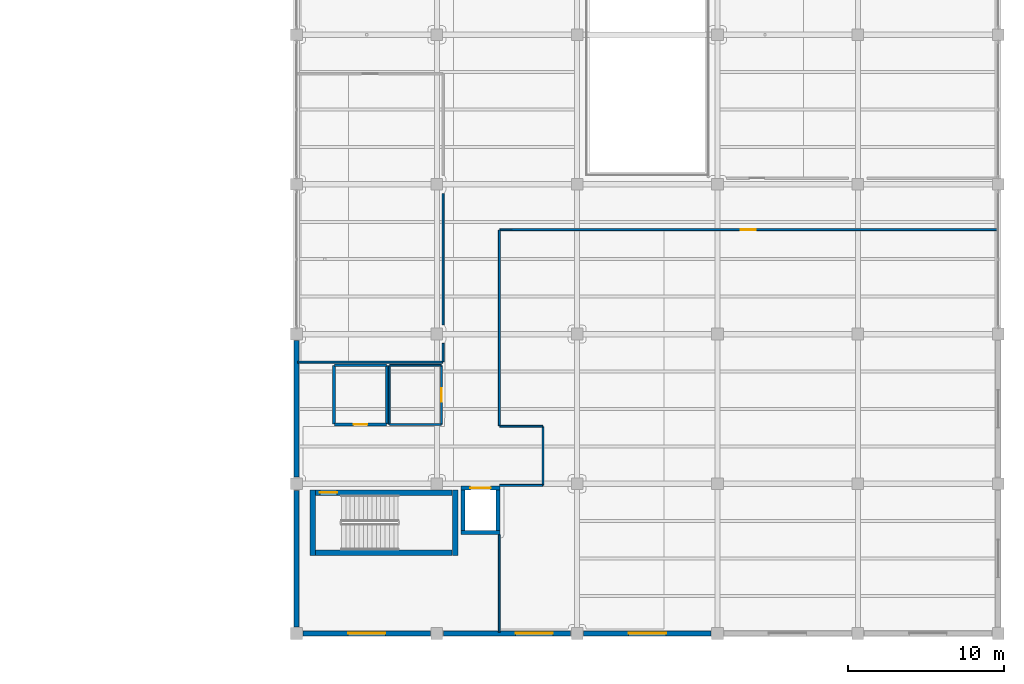
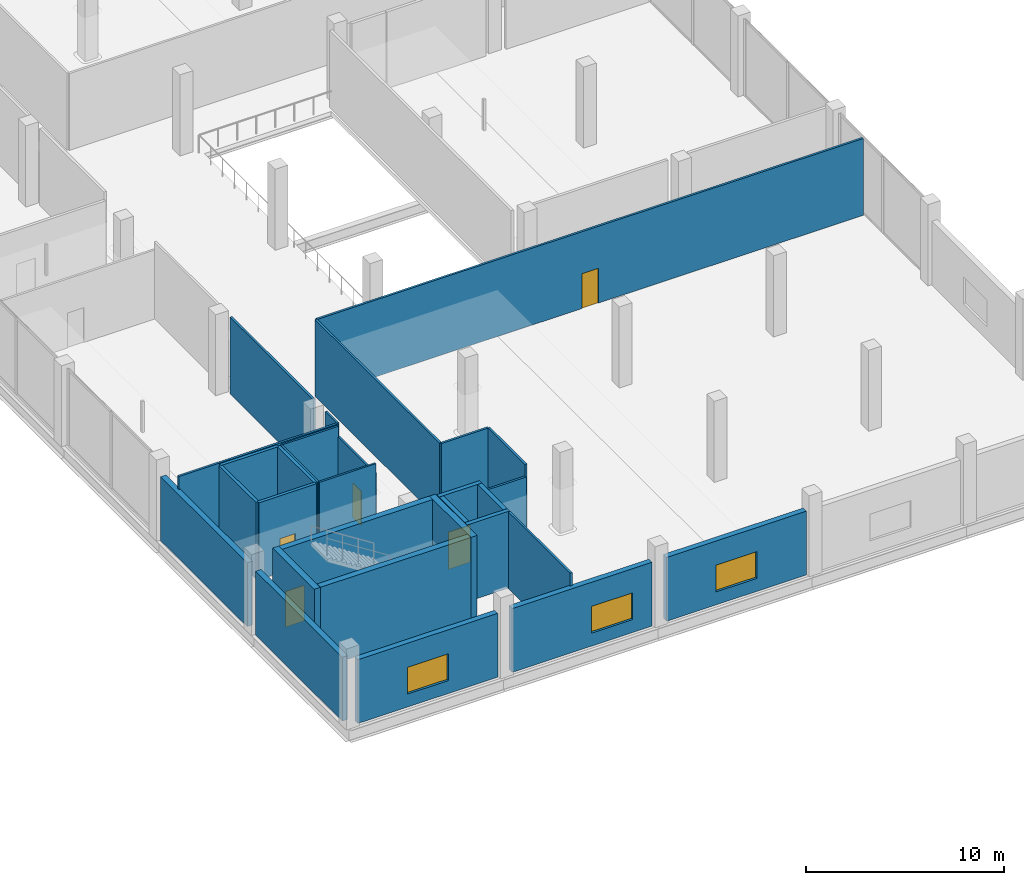
# One storey, part 30 of 47: 30 walls, 5 doors, 3 windows, 8 openings.
"""IFC4 building model written with IfcOpenShell, lengths in metres."""

import ifcopenshell
import ifcopenshell.guid

model = None  # the IFC model being written
_history = None  # IfcOwnerHistory: only IFC2X3 demands one
_inside = {}  # id of a spatial element -> (the spatial element, [elements in it])
_under = {}  # id of a project, library or spatial element -> (it, [spatial elements below it])
_declared = {}  # id of a project -> (the project, [libraries it declares])
_typed = {}  # id of a type object -> (the type object, [elements of that type])
_made_of = {}  # id of a material, layer set ... -> (it, [elements and type objects made of it])


def new_model(schema):
    """Start an empty IFC model of exactly this schema.

    Asked for "IFC4X3", IfcOpenShell would pick the latest addendum, in which some entities
    have other attributes; the version numbers below select the first issue.
    IFC2X3 requires an IfcOwnerHistory on every rooted entity: one is made here for all.
    """
    global model, _history
    if schema == "IFC4X3":
        model = ifcopenshell.file(schema_version=(4, 3, 0, 0))
    else:
        model = ifcopenshell.file(schema=schema)
    _inside.clear()
    _under.clear()
    _declared.clear()
    _typed.clear()
    _made_of.clear()
    _history = None
    if model.schema == "IFC2X3":
        org = make("IfcOrganization", Name="unknown")
        user = make(
            "IfcPersonAndOrganization",
            ThePerson=make("IfcPerson", FamilyName="unknown"),
            TheOrganization=org,
        )
        app = make(
            "IfcApplication",
            ApplicationDeveloper=org,
            Version="unknown",
            ApplicationFullName="unknown",
            ApplicationIdentifier="unknown",
        )
        _history = make(
            "IfcOwnerHistory",
            OwningUser=user,
            OwningApplication=app,
            ChangeAction="ADDED",
            CreationDate=0,
        )
    return model


def make(cls, **values):
    """One entity of the class cls with the attributes given. An attribute that is None is left unset."""
    return model.create_entity(
        cls, **{name: value for name, value in values.items() if value is not None}
    )


def rooted(cls, **values):
    """An entity with a GlobalId (a new one), such as an element, a storey or a relation."""
    return make(cls, GlobalId=ifcopenshell.guid.new(), OwnerHistory=_history, **values)


def si_unit(unit_type, name, prefix=None):
    """IfcSIUnit, for example si_unit("LENGTHUNIT", "METRE", prefix="MILLI")."""
    return make("IfcSIUnit", UnitType=unit_type, Prefix=prefix, Name=name)


def assignment(units):
    """IfcUnitAssignment: the units of a project."""
    return None if units is None else make("IfcUnitAssignment", Units=units)


def point(xyz):
    """IfcCartesianPoint."""
    return None if xyz is None else make("IfcCartesianPoint", Coordinates=xyz)


def direction(xyz):
    """IfcDirection."""
    return None if xyz is None else make("IfcDirection", DirectionRatios=xyz)


def frame(location, z_axis=None, x_axis=None):
    """IfcAxis2Placement3D, a coordinate frame: its origin and axes. An axis left out is left unset."""
    return make(
        "IfcAxis2Placement3D",
        Location=point(location),
        Axis=direction(z_axis),
        RefDirection=direction(x_axis),
    )


def frame_2d(location, x_axis=None):
    """IfcAxis2Placement2D, a coordinate frame in the plane: its origin and x axis."""
    return make(
        "IfcAxis2Placement2D", Location=point(location), RefDirection=direction(x_axis)
    )


def origin():
    """The frame at (0, 0, 0) with its axes left unset."""
    return frame((0.0, 0.0, 0.0))


def place(relative_to, where):
    """IfcLocalPlacement: puts the frame where relative to a parent placement (None: the world)."""
    return make(
        "IfcLocalPlacement", PlacementRelTo=relative_to, RelativePlacement=where
    )


def context(
    kind, dimensions, precision=None, world=None, true_north=None, identifier=None
):
    """IfcGeometricRepresentationContext, for example the 3D "Model" context."""
    return make(
        "IfcGeometricRepresentationContext",
        ContextIdentifier=identifier,
        ContextType=kind,
        CoordinateSpaceDimension=dimensions,
        Precision=precision,
        WorldCoordinateSystem=world,
        TrueNorth=true_north,
    )


def subcontext(parent, identifier, kind, view, scale=None):
    """IfcGeometricRepresentationSubContext, for example "Body" below "Model"."""
    return make(
        "IfcGeometricRepresentationSubContext",
        ContextIdentifier=identifier,
        ContextType=kind,
        ParentContext=parent,
        TargetScale=scale,
        TargetView=view,
    )


def project(units=None, contexts=None):
    """IfcProject with its units and contexts."""
    return rooted(
        "IfcProject",
        Name="project",
        RepresentationContexts=contexts,
        UnitsInContext=assignment(units),
    )


def spatial(cls, under=None, at=None, **own):
    """A site, building, storey or space (cls), placed at a placement, below another one or the project."""
    s = rooted(cls, ObjectPlacement=at, **own)
    if under is not None:
        _under.setdefault(under.id(), (under, []))[1].append(s)
    return s


def profile(cls, at=None, kind="AREA", **sizes):
    """A parametric profile (cls). Its sizes go by their IFC names, for example OverallWidth=200.0."""
    return make(cls, ProfileType=kind, Position=at, **sizes)


def rectangle(**sizes):
    """IfcRectangleProfileDef."""
    return profile("IfcRectangleProfileDef", **sizes)


def extrude(swept, where, along, depth):
    """IfcExtrudedAreaSolid: the profile swept, set in the frame where, extruded along a direction by depth."""
    return make(
        "IfcExtrudedAreaSolid",
        SweptArea=swept,
        Position=where,
        ExtrudedDirection=direction(along),
        Depth=depth,
    )


def shape(context_of_items, identifier, shape_type, items):
    """IfcShapeRepresentation: the items that make up one representation, for example the "Body"."""
    return make(
        "IfcShapeRepresentation",
        ContextOfItems=context_of_items,
        RepresentationIdentifier=identifier,
        RepresentationType=shape_type,
        Items=items,
    )


def material(Name=None, Category=None):
    """IfcMaterial."""
    return make("IfcMaterial", Name=Name, Category=Category)


def layer(
    of_material, thickness, ventilated=None, Name=None, Category=None, Priority=None
):
    """IfcMaterialLayer: one layer of a wall or slab, of a material (None: an air gap)."""
    return make(
        "IfcMaterialLayer",
        Material=of_material,
        LayerThickness=thickness,
        IsVentilated=ventilated,
        Name=Name,
        Category=Category,
        Priority=Priority,
    )


def layer_set(layers, Name=None):
    """IfcMaterialLayerSet."""
    return make("IfcMaterialLayerSet", MaterialLayers=layers, LayerSetName=Name)


def made_of(thing, what):
    """Note that an element or type object is made of a material, layer set ...; save() writes the relation."""
    if what is not None:
        _made_of.setdefault(what.id(), (what, []))[1].append(thing)
    return thing


def type_object(cls, material=None, **own):
    """A type object (cls), such as IfcWallType, which elements share."""
    return made_of(rooted(cls, **own), material)


def element(
    cls,
    number,
    at=None,
    inside=None,
    cuts=None,
    type_object=None,
    material=None,
    context=None,
    identifier="Body",
    shape_type=None,
    held_by="IfcProductDefinitionShape",
    body=None,
    shapes=None,
    **own,
):
    """One element of the class cls, such as IfcWall. Its Tag is "e" and its number.

    at: its placement. inside: the storey or other place that contains it. cuts: it is an
    opening in that element (IfcRelVoidsElement). A single representation is given by context,
    identifier, shape_type and body (its items); several are given by shapes. held_by: the class
    of the entity that holds the representations. save() writes the other relations.
    """
    e = rooted(cls, Tag="e%d" % number, ObjectPlacement=at, **own)
    if body is not None:
        shapes = [shape(context, identifier, shape_type, body)]
    if shapes is not None:
        e.Representation = make(held_by, Representations=shapes)
    if inside is not None:
        _inside.setdefault(inside.id(), (inside, []))[1].append(e)
    if cuts is not None:
        rooted(
            "IfcRelVoidsElement", RelatingBuildingElement=cuts, RelatedOpeningElement=e
        )
    if type_object is not None:
        _typed.setdefault(type_object.id(), (type_object, []))[1].append(e)
    return made_of(e, material)


def fill(opening, filler):
    """IfcRelFillsElement: the door or window that sits in an opening."""
    return rooted(
        "IfcRelFillsElement",
        RelatingOpeningElement=opening,
        RelatedBuildingElement=filler,
    )


def aggregate(whole, parts):
    """IfcRelAggregates: a whole, such as a stair, and the parts it consists of."""
    return rooted("IfcRelAggregates", RelatingObject=whole, RelatedObjects=parts)


def save(model, path):
    """Write the relations noted so far, then the file.

    IfcRelAggregates (storeys below a building ...), IfcRelContainedInSpatialStructure (elements
    in a storey), IfcRelDefinesByType, IfcRelAssociatesMaterial and IfcRelDeclares: one each for
    every whole, place, type object, material and project.
    """
    for whole, parts in _under.values():
        aggregate(whole, parts)
    for where, things in _inside.values():
        rooted(
            "IfcRelContainedInSpatialStructure",
            RelatedElements=things,
            RelatingStructure=where,
        )
    for kind, things in _typed.values():
        rooted("IfcRelDefinesByType", RelatedObjects=things, RelatingType=kind)
    for what, things in _made_of.values():
        rooted("IfcRelAssociatesMaterial", RelatedObjects=things, RelatingMaterial=what)
    for by, libraries in _declared.values():
        rooted("IfcRelDeclares", RelatingContext=by, RelatedDefinitions=libraries)
    model.write(path)


model = new_model("IFC4")

# Units and contexts
model_context = context("Model", 3, precision=1e-05, world=origin(), true_north=direction((0.0, 1.0)))
body_context = subcontext(model_context, "Body", "Model", "MODEL_VIEW")
ifc_project = project(units=[si_unit("LENGTHUNIT", "METRE"), si_unit("AREAUNIT", "SQUARE_METRE"), si_unit("VOLUMEUNIT", "CUBIC_METRE"), si_unit("PLANEANGLEUNIT", "RADIAN"), si_unit("MASSUNIT", "GRAM", prefix="KILO")], contexts=[model_context])

# Site, building, storey
site_placement = place(None, origin())
site = spatial("IfcSite", under=ifc_project, at=site_placement, CompositionType="ELEMENT")
building_placement = place(site_placement, origin())
building = spatial("IfcBuilding", under=site, at=building_placement, Name="Qorvath Tower", CompositionType="ELEMENT")
storey_placement = place(building_placement, frame((0.0, 0.0, 12.0)))
storey = spatial("IfcBuildingStorey", under=building, at=storey_placement, Name="L02", CompositionType="ELEMENT", Elevation=12.0)

# Wall, opening, door
ifc_material_1 = material(Name="Gypsum shaftliner on steel studs", Category="steel")
ifc_layer_1 = layer(ifc_material_1, 0.179931640625)
ifc_layer_set_1 = layer_set([ifc_layer_1], Name="FW-LOBBY")
wall_type_1 = type_object("IfcWallType", Name="FW-LOBBY", PredefinedType="PARTITIONING", material=ifc_layer_set_1)
wall_1_placement = place(storey_placement, frame((34.824951171875, -25.0, 0.0), z_axis=(0.0, 0.0, 1.0), x_axis=(1.0, 0.0, 0.0)))
wall_1 = element("IfcWall", 1, at=wall_1_placement, inside=storey, type_object=wall_type_1, Name="Interior Partition IW-LB-L02-013", PredefinedType="PARTITIONING", context=body_context, shape_type="SweptSolid", body=[
    extrude(rectangle(XDim=3.35009765625, YDim=0.179931640625, at=frame_2d((1.675048828125, 0.0))), origin(), (0.0, 0.0, 1.0), 4.739990234375),
])
opening_1_placement = place(wall_1_placement, frame((1.235107421875, 0.0, 0.0)))
opening_1 = element("IfcOpeningElement", 2, at=opening_1_placement, cuts=wall_1, Name="Opening D-LB-L02-04", PredefinedType="OPENING", context=body_context, shape_type="SweptSolid", body=[
    extrude(rectangle(XDim=0.8798828125, YDim=2.10009765625, at=frame_2d((0.43994140625, 1.050048828125))), frame((0.0, 0.10009765625, 0.0), z_axis=(0.0, -1.0, 0.0), x_axis=(1.0, 0.0, 0.0)), (0.0, 0.0, 1.0), 0.199951171875),
])
ifc_material_2 = material(Name="Painted galvanised hollow metal", Category="steel")
door_type_1 = type_object("IfcDoorType", Name="FD-60N", OperationType="NOTDEFINED", PredefinedType="DOOR", material=ifc_material_2)
door_1_placement = place(opening_1_placement, origin())
door_1 = element("IfcDoor", 3, at=door_1_placement, inside=storey, type_object=door_type_1, Name="Cleaner Custodial Closet L02 Door D-LB-L02-04", OperationType="SINGLE_SWING_RIGHT", OverallHeight=2.10009765625, OverallWidth=0.8798828125, PredefinedType="DOOR", context=body_context, shape_type="SweptSolid", body=[
    extrude(rectangle(XDim=0.8798828125, YDim=2.10009765625, at=frame_2d((0.43994140625, 1.050048828125))), frame((0.0, 0.02490234375, 0.0), z_axis=(0.0, -1.0, 0.0), x_axis=(1.0, 0.0, 0.0)), (0.0, 0.0, 1.0), 0.050048828125),
])
fill(opening_1, door_1)

# Walls
wall_2_placement = place(storey_placement, frame((38.199951171875, -24.97509765625, 0.0), z_axis=(0.0, 0.0, 1.0), x_axis=(0.0, 1.0, 0.0)))
element("IfcWall", 4, at=wall_2_placement, inside=storey, type_object=wall_type_1, Name="Interior Partition IW-LB-L02-014", PredefinedType="PARTITIONING", context=body_context, shape_type="SweptSolid", body=[
    extrude(rectangle(XDim=3.75, YDim=0.179931640625, at=frame_2d((1.875, 0.0))), origin(), (0.0, 0.0, 1.0), 4.739990234375),
])
wall_3_placement = place(storey_placement, frame((38.175048828125, -21.199951171875, 0.0), z_axis=(0.0, 0.0, 1.0), x_axis=(-1.0, 0.0, 0.0)))
element("IfcWall", 5, at=wall_3_placement, inside=storey, type_object=wall_type_1, Name="Interior Partition IW-LB-L02-015", PredefinedType="PARTITIONING", context=body_context, shape_type="SweptSolid", body=[
    extrude(rectangle(XDim=3.35009765625, YDim=0.179931640625, at=frame_2d((1.675048828125, 0.0))), origin(), (0.0, 0.0, 1.0), 4.739990234375),
])
wall_4_placement = place(storey_placement, frame((34.800048828125, -21.22509765625, 0.0), z_axis=(0.0, 0.0, 1.0), x_axis=(0.0, -1.0, 0.0)))
element("IfcWall", 6, at=wall_4_placement, inside=storey, type_object=wall_type_1, Name="Interior Partition IW-LB-L02-016", PredefinedType="PARTITIONING", context=body_context, shape_type="SweptSolid", body=[
    extrude(rectangle(XDim=3.75, YDim=0.179931640625, at=frame_2d((1.875, 0.0))), origin(), (0.0, 0.0, 1.0), 4.739990234375),
])

# Wall, opening, door
ifc_material_3 = material(Name="Gypsum board on metal studs with mineral wool", Category="gypsum")
ifc_layer_2 = layer(ifc_material_3, 0.125)
ifc_layer_set_2 = layer_set([ifc_layer_2], Name="IW-PART-125")
wall_type_2 = type_object("IfcWallType", Name="IW-PART-125", PredefinedType="PARTITIONING", material=ifc_layer_set_2)
wall_5_placement = place(storey_placement, frame((77.320068359375, -12.5, 0.0), z_axis=(0.0, 0.0, 1.0), x_axis=(-0.999999968081, -0.000252662519, 0.0)))
wall_5 = element("IfcWall", 7, at=wall_5_placement, inside=storey, type_object=wall_type_2, Name="Interior Partition IW-LB-L02-023", PredefinedType="PARTITIONING", context=body_context, shape_type="SweptSolid", body=[
    extrude(rectangle(XDim=31.886962890625, YDim=0.125, at=frame_2d((15.943359375, 0.0))), origin(), (0.0, 0.0, 1.0), 4.739990234375),
])
opening_2_placement = place(wall_5_placement, frame((15.468505859375, 0.0, 0.0)))
opening_2 = element("IfcOpeningElement", 8, at=opening_2_placement, cuts=wall_5, Name="Opening D-LB-L02-06", PredefinedType="OPENING", context=body_context, shape_type="SweptSolid", body=[
    extrude(rectangle(XDim=0.949951171875, YDim=2.14990234375, at=frame_2d((0.47509765625, 1.074951171875))), frame((0.0, 0.072509765625, 0.0), z_axis=(0.0, -1.0, 0.0), x_axis=(1.0, 0.0, 0.0)), (0.0, 0.0, 1.0), 0.14501953125),
])
ifc_material_4 = material(Name="Solid-core American white oak veneer", Category="wood")
door_type_2 = type_object("IfcDoorType", Name="D-01", OperationType="NOTDEFINED", PredefinedType="DOOR", material=ifc_material_4)
door_2_placement = place(opening_2_placement, origin())
door_2 = element("IfcDoor", 9, at=door_2_placement, inside=storey, type_object=door_type_2, Name="L-L02-STK-S Open Book Stack Collection South L02 Door D-LB-L02-06", OperationType="SINGLE_SWING_RIGHT", OverallHeight=2.14990234375, OverallWidth=0.949951171875, PredefinedType="DOOR", context=body_context, shape_type="SweptSolid", body=[
    extrude(rectangle(XDim=0.949951171875, YDim=2.14990234375, at=frame_2d((0.47509765625, 1.074951171875))), frame((0.0, 0.02490234375, 0.0), z_axis=(0.0, -1.0, 0.0), x_axis=(1.0, 0.0, 0.0)), (0.0, 0.0, 1.0), 0.050048828125),
])
fill(opening_2, door_2)

# Walls
wall_6_placement = place(storey_placement, frame((45.407958984375, -12.533203125, 0.0), z_axis=(0.0, 0.0, 1.0), x_axis=(0.0, -1.0, 0.0)))
element("IfcWall", 10, at=wall_6_placement, inside=storey, type_object=wall_type_2, Name="Interior Partition IW-LB-L02-024", PredefinedType="PARTITIONING", context=body_context, shape_type="SweptSolid", body=[
    extrude(rectangle(XDim=12.553955078125, YDim=0.125, at=frame_2d((6.27685546875, 0.0))), origin(), (0.0, 0.0, 1.0), 4.739990234375),
])
wall_7_placement = place(storey_placement, frame((48.18310546875, -25.112060546875, 0.0), z_axis=(0.0, 0.0, 1.0), x_axis=(-1.0, 0.0, 0.0)))
element("IfcWall", 11, at=wall_7_placement, inside=storey, type_object=wall_type_2, Name="Interior Partition IW-LB-L02-025", PredefinedType="PARTITIONING", context=body_context, shape_type="SweptSolid", body=[
    extrude(rectangle(XDim=2.75, YDim=0.125, at=frame_2d((1.375, 0.0))), origin(), (0.0, 0.0, 1.0), 4.739990234375),
])
wall_8_placement = place(storey_placement, frame((48.2080078125, -25.13720703125, 0.0), z_axis=(0.0, 0.0, 1.0), x_axis=(0.0, -1.0, 0.0)))
element("IfcWall", 12, at=wall_8_placement, inside=storey, type_object=wall_type_2, Name="Interior Partition IW-LB-L02-026", PredefinedType="PARTITIONING", context=body_context, shape_type="SweptSolid", body=[
    extrude(rectangle(XDim=3.745849609375, YDim=0.125, at=frame_2d((1.873046875, 0.0))), origin(), (0.0, 0.0, 1.0), 4.739990234375),
])
wall_9_placement = place(storey_placement, frame((45.4248046875, -28.907958984375, 0.0), z_axis=(0.0, 0.0, 1.0), x_axis=(1.0, 0.0, 0.0)))
element("IfcWall", 13, at=wall_9_placement, inside=storey, type_object=wall_type_2, Name="Interior Partition IW-LB-L02-027", PredefinedType="PARTITIONING", context=body_context, shape_type="SweptSolid", body=[
    extrude(rectangle(XDim=2.75830078125, YDim=0.125, at=frame_2d((1.379150390625, 0.0))), origin(), (0.0, 0.0, 1.0), 4.01416015625),
])
wall_10_placement = place(storey_placement, frame((45.39990234375, -32.0849609375, 0.0), z_axis=(0.0, 0.0, 1.0), x_axis=(0.0, -1.0, 0.0)))
element("IfcWall", 14, at=wall_10_placement, inside=storey, type_object=wall_type_2, Name="Interior Partition IW-LB-L02-028", PredefinedType="PARTITIONING", context=body_context, shape_type="SweptSolid", body=[
    extrude(rectangle(XDim=6.235107421875, YDim=0.125, at=frame_2d((3.11767578125, 0.0))), origin(), (0.0, 0.0, 1.0), 4.739990234375),
])
wall_11_placement = place(storey_placement, frame((32.47998046875, -21.0, 0.0), z_axis=(0.0, 0.0, 1.0), x_axis=(1.0, 0.0, 0.0)))
element("IfcWall", 15, at=wall_11_placement, inside=storey, type_object=wall_type_2, Name="Interior Partition IW-LB-L02-040", PredefinedType="PARTITIONING", context=body_context, shape_type="SweptSolid", body=[
    extrude(rectangle(XDim=9.294921875, YDim=0.125, at=frame_2d((4.6474609375, 0.0))), origin(), (0.0, 0.0, 1.0), 4.739990234375),
])
wall_12_placement = place(storey_placement, frame((41.800048828125, -20.97509765625, 0.0), z_axis=(0.0, 0.0, 1.0), x_axis=(0.0, 1.0, 0.0)))
element("IfcWall", 16, at=wall_12_placement, inside=storey, type_object=wall_type_2, Name="Interior Partition IW-LB-L02-041", PredefinedType="PARTITIONING", context=body_context, shape_type="SweptSolid", body=[
    extrude(rectangle(XDim=1.185546875, YDim=0.125, at=frame_2d((0.5927734375, 0.0))), origin(), (0.0, 0.0, 1.0), 4.739990234375),
])
wall_13_placement = place(storey_placement, frame((41.800048828125, -18.6103515625, 0.0), z_axis=(0.0, 0.0, 1.0), x_axis=(0.0, 1.0, 0.0)))
element("IfcWall", 17, at=wall_13_placement, inside=storey, type_object=wall_type_2, Name="Interior Partition IW-LB-L02-042", PredefinedType="PARTITIONING", context=body_context, shape_type="SweptSolid", body=[
    extrude(rectangle(XDim=8.420654296875, YDim=0.125, at=frame_2d((4.21044921875, 0.0))), origin(), (0.0, 0.0, 1.0), 4.739990234375),
])
ifc_material_5 = material(Name="Moisture-resistant cement board on metal studs", Category="gypsum")
ifc_layer_3 = layer(ifc_material_5, 0.110107421875)
ifc_layer_set_3 = layer_set([ifc_layer_3], Name="IW-WC-110")
wall_type_3 = type_object("IfcWallType", Name="IW-WC-110", PredefinedType="PARTITIONING", material=ifc_layer_set_3)
wall_14_placement = place(storey_placement, frame((38.375, -25.0, 0.0), z_axis=(0.0, 0.0, 1.0), x_axis=(1.0, 0.0, 0.0)))
element("IfcWall", 18, at=wall_14_placement, inside=storey, type_object=wall_type_3, Name="Interior Partition IW-LB-L02-009", PredefinedType="PARTITIONING", context=body_context, shape_type="SweptSolid", body=[
    extrude(rectangle(XDim=3.300048828125, YDim=0.110107421875, at=frame_2d((1.64990234375, 0.0))), origin(), (0.0, 0.0, 1.0), 4.739990234375),
])

# Wall, opening, door
wall_15_placement = place(storey_placement, frame((41.699951171875, -24.97509765625, 0.0), z_axis=(0.0, 0.0, 1.0), x_axis=(0.0, 1.0, 0.0)))
wall_15 = element("IfcWall", 19, at=wall_15_placement, inside=storey, type_object=wall_type_3, Name="Interior Partition IW-LB-L02-010", PredefinedType="PARTITIONING", context=body_context, shape_type="SweptSolid", body=[
    extrude(rectangle(XDim=3.75, YDim=0.110107421875, at=frame_2d((1.875, 0.0))), origin(), (0.0, 0.0, 1.0), 4.09375),
])
opening_3_placement = place(wall_15_placement, frame((1.43505859375, 0.0, 0.0)))
opening_3 = element("IfcOpeningElement", 20, at=opening_3_placement, cuts=wall_15, Name="Opening D-LB-L02-03", PredefinedType="OPENING", context=body_context, shape_type="SweptSolid", body=[
    extrude(rectangle(XDim=0.8798828125, YDim=2.10009765625, at=frame_2d((0.43994140625, 1.050048828125))), frame((0.0, 0.06494140625, 0.0), z_axis=(0.0, -1.0, 0.0), x_axis=(1.0, 0.0, 0.0)), (0.0, 0.0, 1.0), 0.130126953125),
])
ifc_material_6 = material(Name="Solid-core oak with acoustic drop seal", Category="wood")
door_type_3 = type_object("IfcDoorType", Name="D-02", OperationType="NOTDEFINED", PredefinedType="DOOR", material=ifc_material_6)
door_3_placement = place(opening_3_placement, origin())
door_3 = element("IfcDoor", 21, at=door_3_placement, inside=storey, type_object=door_type_3, Name="Accessible WC East Wing L02 Door D-LB-L02-03", OperationType="SINGLE_SWING_LEFT", OverallHeight=2.10009765625, OverallWidth=0.8798828125, PredefinedType="DOOR", context=body_context, shape_type="SweptSolid", body=[
    extrude(rectangle(XDim=0.8798828125, YDim=2.10009765625, at=frame_2d((0.43994140625, 1.050048828125))), frame((0.0, 0.02490234375, 0.0), z_axis=(0.0, -1.0, 0.0), x_axis=(1.0, 0.0, 0.0)), (0.0, 0.0, 1.0), 0.050048828125),
])
fill(opening_3, door_3)

# Walls
wall_16_placement = place(storey_placement, frame((41.675048828125, -21.199951171875, 0.0), z_axis=(0.0, 0.0, 1.0), x_axis=(-1.0, 0.0, 0.0)))
element("IfcWall", 22, at=wall_16_placement, inside=storey, type_object=wall_type_3, Name="Interior Partition IW-LB-L02-011", PredefinedType="PARTITIONING", context=body_context, shape_type="SweptSolid", body=[
    extrude(rectangle(XDim=3.300048828125, YDim=0.110107421875, at=frame_2d((1.64990234375, 0.0))), origin(), (0.0, 0.0, 1.0), 4.739990234375),
])
wall_17_placement = place(storey_placement, frame((38.35009765625, -21.22509765625, 0.0), z_axis=(0.0, 0.0, 1.0), x_axis=(0.0, -1.0, 0.0)))
element("IfcWall", 23, at=wall_17_placement, inside=storey, type_object=wall_type_3, Name="Interior Partition IW-LB-L02-012", PredefinedType="PARTITIONING", context=body_context, shape_type="SweptSolid", body=[
    extrude(rectangle(XDim=3.75, YDim=0.110107421875, at=frame_2d((1.875, 0.0))), origin(), (0.0, 0.0, 1.0), 4.739990234375),
])
ifc_material_7 = material(Name="Concrete C60/75", Category="concrete")
ifc_layer_4 = layer(ifc_material_7, 0.260009765625)
ifc_layer_set_4 = layer_set([ifc_layer_4], Name="SW-SHAFT")
wall_type_4 = type_object("IfcWallType", Name="SW-SHAFT", PredefinedType="SHEAR", material=ifc_layer_set_4)
wall_18_placement = place(storey_placement, frame((45.43994140625, -31.919921875, 0.0), z_axis=(0.0, 0.0, 1.0), x_axis=(-1.0, 0.0, 0.0)))
element("IfcWall", 24, at=wall_18_placement, inside=storey, type_object=wall_type_4, Name="Hoistway Wall LGL-1 L02 S", PredefinedType="SHEAR", context=body_context, shape_type="SweptSolid", body=[
    extrude(rectangle(XDim=2.47998046875, YDim=0.239990234375, at=frame_2d((1.239990234375, 0.0))), origin(), (0.0, 0.0, 1.0), 4.739990234375),
])

# Wall, opening, door
wall_19_placement = place(storey_placement, frame((42.9599609375, -29.080078125, 0.0), z_axis=(0.0, 0.0, 1.0), x_axis=(1.0, 0.0, 0.0)))
wall_19 = element("IfcWall", 25, at=wall_19_placement, inside=storey, type_object=wall_type_4, Name="Hoistway Wall LGL-1 L02 N", PredefinedType="SHEAR", context=body_context, shape_type="SweptSolid", body=[
    extrude(rectangle(XDim=2.47998046875, YDim=0.239990234375, at=frame_2d((1.239990234375, 0.0))), origin(), (0.0, 0.0, 1.0), 4.739990234375),
])
opening_4_placement = place(wall_19_placement, frame((0.590087890625, 0.0, 0.0)))
opening_4 = element("IfcOpeningElement", 26, at=opening_4_placement, cuts=wall_19, Name="Opening LD-LGL-1-L02", PredefinedType="OPENING", context=body_context, shape_type="SweptSolid", body=[
    extrude(rectangle(XDim=1.300048828125, YDim=2.300048828125, at=frame_2d((0.64990234375, 1.14990234375))), frame((0.0, 0.1298828125, 0.0), z_axis=(0.0, -1.0, 0.0), x_axis=(1.0, 0.0, 0.0)), (0.0, 0.0, 1.0), 0.260009765625),
])
ifc_material_8 = material(Name="Brushed stainless steel AISI 316", Category="steel")
door_type_4 = type_object("IfcDoorType", Name="LD-02", OperationType="NOTDEFINED", PredefinedType="DOOR", material=ifc_material_8)
door_4_placement = place(opening_4_placement, origin())
door_4 = element("IfcDoor", 27, at=door_4_placement, inside=storey, type_object=door_type_4, Name="Elevator Landing Sliding Door LD-LGL-1-L02", OperationType="DOUBLE_DOOR_SLIDING", OverallHeight=2.300048828125, OverallWidth=1.300048828125, PredefinedType="DOOR", context=body_context, shape_type="SweptSolid", body=[
    extrude(rectangle(XDim=1.300048828125, YDim=2.300048828125, at=frame_2d((0.64990234375, 1.14990234375))), frame((0.0, 0.02490234375, 0.0), z_axis=(0.0, -1.0, 0.0), x_axis=(1.0, 0.0, 0.0)), (0.0, 0.0, 1.0), 0.050048828125),
])
fill(opening_4, door_4)

# Walls
for number, where, z_axis, x_axis, name in (
    (28, (43.080078125, -31.7880859375, 0.0), (0.0, 0.0, 1.0), (0.0, 1.0, 0.0), "Hoistway Wall LGL-1 L02 W"),
    (29, (45.320068359375, -29.2119140625, 0.0), (0.0, 0.0, 1.0), (0.0, -1.0, 0.0), "Hoistway Wall LGL-1 L02 E"),
):
    element("IfcWall", number, at=place(storey_placement, frame(where, z_axis=z_axis, x_axis=x_axis)), inside=storey, type_object=wall_type_4, Name=name, PredefinedType="SHEAR", context=body_context, shape_type="SweptSolid", body=[
        extrude(rectangle(XDim=2.576171875, YDim=0.239990234375, at=frame_2d((1.2880859375, 0.0))), origin(), (0.0, 0.0, 1.0), 4.739990234375),
    ])
ifc_material_9 = material(Name="Concrete C60/75", Category="concrete")
ifc_layer_5 = layer(ifc_material_9, 0.35009765625)
ifc_layer_set_5 = layer_set([ifc_layer_5], Name="SW-STAIR")
wall_type_5 = type_object("IfcWallType", Name="SW-STAIR", PredefinedType="SHEAR", material=ifc_layer_set_5)
for number, where, z_axis, x_axis, name in (
    (30, (33.425048828125, -29.18994140625, 0.0), (0.0, 0.0, 1.0), (0.0, -1.0, 0.0), "Stair LS2 Shear Wall L02 NEAR"),
    (31, (42.574951171875, -33.39990234375, 0.0), (0.0, 0.0, 1.0), (0.0, 1.0, 0.0), "Stair LS2 Shear Wall L02 FAR"),
):
    element("IfcWall", number, at=place(storey_placement, frame(where, z_axis=z_axis, x_axis=x_axis)), inside=storey, type_object=wall_type_5, Name=name, PredefinedType="SHEAR", context=body_context, shape_type="SweptSolid", body=[
        extrude(rectangle(XDim=4.2099609375, YDim=0.35009765625, at=frame_2d((2.10498046875, 0.0))), origin(), (0.0, 0.0, 1.0), 4.9951171875),
    ])
wall_20_placement = place(storey_placement, frame((33.614990234375, -33.22509765625, 0.0), z_axis=(0.0, 0.0, 1.0), x_axis=(1.0, 0.0, 0.0)))
element("IfcWall", 32, at=wall_20_placement, inside=storey, type_object=wall_type_5, Name="Stair LS2 Shear Wall L02 LEFT", PredefinedType="SHEAR", context=body_context, shape_type="SweptSolid", body=[
    extrude(rectangle(XDim=8.77001953125, YDim=0.35009765625, at=frame_2d((4.385009765625, 0.0))), origin(), (0.0, 0.0, 1.0), 4.9951171875),
])

# Wall, opening, door
wall_21_placement = place(storey_placement, frame((42.385009765625, -29.364990234375, 0.0), z_axis=(0.0, 0.0, 1.0), x_axis=(-1.0, 0.0, 0.0)))
wall_21 = element("IfcWall", 33, at=wall_21_placement, inside=storey, type_object=wall_type_5, Name="Stair LS2 Shear Wall L02 RIGHT", PredefinedType="SHEAR", context=body_context, shape_type="SweptSolid", body=[
    extrude(rectangle(XDim=8.77001953125, YDim=0.35009765625, at=frame_2d((4.385009765625, 0.0))), origin(), (0.0, 0.0, 1.0), 4.9951171875),
])
opening_5_placement = place(wall_21_placement, frame((7.389892578125, 0.0, 0.0)))
opening_5 = element("IfcOpeningElement", 34, at=opening_5_placement, cuts=wall_21, Name="Opening D-LS2-L02", PredefinedType="OPENING", context=body_context, shape_type="SweptSolid", body=[
    extrude(rectangle(XDim=1.10009765625, YDim=2.199951171875, at=frame_2d((0.550048828125, 1.10009765625))), frame((0.0, 0.18505859375, 0.0), z_axis=(0.0, -1.0, 0.0), x_axis=(1.0, 0.0, 0.0)), (0.0, 0.0, 1.0), 0.3701171875),
])
ifc_material_10 = material(Name="Painted galvanised hollow metal", Category="steel")
door_type_5 = type_object("IfcDoorType", Name="FD-90", OperationType="NOTDEFINED", PredefinedType="DOOR", material=ifc_material_10)
door_5_placement = place(opening_5_placement, origin())
door_5 = element("IfcDoor", 35, at=door_5_placement, inside=storey, type_object=door_type_5, Name="Stair LS2 Fire Door L02", OperationType="SINGLE_SWING_LEFT", OverallHeight=2.199951171875, OverallWidth=1.10009765625, PredefinedType="DOOR", context=body_context, shape_type="SweptSolid", body=[
    extrude(rectangle(XDim=1.10009765625, YDim=2.199951171875, at=frame_2d((0.550048828125, 1.10009765625))), frame((0.0, 0.02490234375, 0.0), z_axis=(0.0, -1.0, 0.0), x_axis=(1.0, 0.0, 0.0)), (0.0, 0.0, 1.0), 0.050048828125),
])
fill(opening_5, door_5)

# Walls
ifc_material_11 = material(Name="Precast concrete C45/55", Category="concrete")
ifc_layer_6 = layer(ifc_material_11, 0.320068359375)
ifc_layer_set_6 = layer_set([ifc_layer_6], Name="WL-EW-LIB-320")
wall_type_6 = type_object("IfcWallType", Name="WL-EW-LIB-320", PredefinedType="SOLIDWALL", material=ifc_layer_set_6)
wall_22_placement = place(storey_placement, frame((32.39990234375, -37.97998046875, 0.0), z_axis=(0.0, 0.0, 1.0), x_axis=(0.0, 1.0, 0.0)))
element("IfcWall", 36, at=wall_22_placement, inside=storey, type_object=wall_type_6, Name="Library West Precast Facade Wall L02-1", PredefinedType="SOLIDWALL", context=body_context, shape_type="SweptSolid", body=[
    extrude(rectangle(XDim=8.760009765625, YDim=0.320068359375, at=frame_2d((4.3798828125, 0.0))), origin(), (0.0, 0.0, 1.0), 3.93701171875),
])
wall_23_placement = place(storey_placement, frame((32.39990234375, -28.3798828125, 0.0), z_axis=(0.0, 0.0, 1.0), x_axis=(0.0, 1.0, 0.0)))
element("IfcWall", 37, at=wall_23_placement, inside=storey, type_object=wall_type_6, Name="Library West Precast Facade Wall L02-2", PredefinedType="SOLIDWALL", context=body_context, shape_type="SweptSolid", body=[
    extrude(rectangle(XDim=8.759765625, YDim=0.320068359375, at=frame_2d((4.3798828125, 0.0))), origin(), (0.0, 0.0, 1.0), 3.93701171875),
])

# Wall, opening, window
wall_24_placement = place(storey_placement, frame((40.97998046875, -38.39990234375, 0.0), z_axis=(0.0, 0.0, 1.0), x_axis=(-1.0, 0.0, 0.0)))
wall_24 = element("IfcWall", 38, at=wall_24_placement, inside=storey, type_object=wall_type_6, Name="Library S Precast Wall L02-1", PredefinedType="SOLIDWALL", context=body_context, shape_type="SweptSolid", body=[
    extrude(rectangle(XDim=8.159912109375, YDim=0.320068359375, at=frame_2d((4.080078125, 0.0))), origin(), (0.0, 0.0, 1.0), 3.93701171875),
])
opening_6_placement = place(wall_24_placement, frame((2.8798828125, 0.0, 0.800048828125)))
opening_6 = element("IfcOpeningElement", 39, at=opening_6_placement, cuts=wall_24, Name="Opening WN-L-106", PredefinedType="OPENING", context=body_context, shape_type="SweptSolid", body=[
    extrude(rectangle(XDim=2.39990234375, YDim=1.64990234375, at=frame_2d((1.199951171875, 0.824951171875))), frame((0.0, 0.169921875, 0.0), z_axis=(0.0, -1.0, 0.0), x_axis=(1.0, 0.0, 0.0)), (0.0, 0.0, 1.0), 0.340087890625),
])
ifc_material_12 = material(Name="Thermally broken aluminium and triple low-E glass", Category="aluminium")
window_type = type_object("IfcWindowType", Name="WN-2", PartitioningType="SINGLE_PANEL", PredefinedType="WINDOW", material=ifc_material_12)
window_1_placement = place(opening_6_placement, origin())
window_1 = element("IfcWindow", 40, at=window_1_placement, inside=storey, type_object=window_type, Name="Library Reading Punched Window 106", OverallHeight=1.64990234375, OverallWidth=2.39990234375, PartitioningType="SINGLE_PANEL", PredefinedType="WINDOW", context=body_context, shape_type="SweptSolid", body=[
    extrude(rectangle(XDim=2.39990234375, YDim=1.64990234375, at=frame_2d((1.199951171875, 0.824951171875))), frame((0.0, 0.030029296875, 0.0), z_axis=(0.0, -1.0, 0.0), x_axis=(1.0, 0.0, 0.0)), (0.0, 0.0, 1.0), 0.06005859375),
])
fill(opening_6, window_1)

wall_25_placement = place(storey_placement, frame((49.97998046875, -38.39990234375, 0.0), z_axis=(0.0, 0.0, 1.0), x_axis=(-1.0, 0.0, 0.0)))
wall_25 = element("IfcWall", 41, at=wall_25_placement, inside=storey, type_object=wall_type_6, Name="Library S Precast Wall L02-2", PredefinedType="SOLIDWALL", context=body_context, shape_type="SweptSolid", body=[
    extrude(rectangle(XDim=8.159912109375, YDim=0.320068359375, at=frame_2d((4.080078125, 0.0))), origin(), (0.0, 0.0, 1.0), 3.93701171875),
])
opening_7_placement = place(wall_25_placement, frame((1.135009765625, 0.0, 0.800048828125)))
opening_7 = element("IfcOpeningElement", 42, at=opening_7_placement, cuts=wall_25, Name="Opening WN-L-107", PredefinedType="OPENING", context=body_context, shape_type="SweptSolid", body=[
    extrude(rectangle(XDim=2.39990234375, YDim=1.64990234375, at=frame_2d((1.199951171875, 0.824951171875))), frame((0.0, 0.169921875, 0.0), z_axis=(0.0, -1.0, 0.0), x_axis=(1.0, 0.0, 0.0)), (0.0, 0.0, 1.0), 0.340087890625),
])
window_2_placement = place(opening_7_placement, origin())
window_2 = element("IfcWindow", 43, at=window_2_placement, inside=storey, type_object=window_type, Name="Library Reading Punched Window 107", OverallHeight=1.64990234375, OverallWidth=2.39990234375, PartitioningType="SINGLE_PANEL", PredefinedType="WINDOW", context=body_context, shape_type="SweptSolid", body=[
    extrude(rectangle(XDim=2.39990234375, YDim=1.64990234375, at=frame_2d((1.199951171875, 0.824951171875))), frame((0.0, 0.030029296875, 0.0), z_axis=(0.0, -1.0, 0.0), x_axis=(1.0, 0.0, 0.0)), (0.0, 0.0, 1.0), 0.06005859375),
])
fill(opening_7, window_2)

wall_26_placement = place(storey_placement, frame((58.97998046875, -38.39990234375, 0.0), z_axis=(0.0, 0.0, 1.0), x_axis=(-1.0, 0.0, 0.0)))
wall_26 = element("IfcWall", 44, at=wall_26_placement, inside=storey, type_object=wall_type_6, Name="Library S Precast Wall L02-3", PredefinedType="SOLIDWALL", context=body_context, shape_type="SweptSolid", body=[
    extrude(rectangle(XDim=8.159912109375, YDim=0.320068359375, at=frame_2d((4.080078125, 0.0))), origin(), (0.0, 0.0, 1.0), 3.93701171875),
])
opening_8_placement = place(wall_26_placement, frame((2.8798828125, 0.0, 0.800048828125)))
opening_8 = element("IfcOpeningElement", 45, at=opening_8_placement, cuts=wall_26, Name="Opening WN-L-108", PredefinedType="OPENING", context=body_context, shape_type="SweptSolid", body=[
    extrude(rectangle(XDim=2.39990234375, YDim=1.64990234375, at=frame_2d((1.199951171875, 0.824951171875))), frame((0.0, 0.169921875, 0.0), z_axis=(0.0, -1.0, 0.0), x_axis=(1.0, 0.0, 0.0)), (0.0, 0.0, 1.0), 0.340087890625),
])
window_3_placement = place(opening_8_placement, origin())
window_3 = element("IfcWindow", 46, at=window_3_placement, inside=storey, type_object=window_type, Name="Library Reading Punched Window 108", OverallHeight=1.64990234375, OverallWidth=2.39990234375, PartitioningType="SINGLE_PANEL", PredefinedType="WINDOW", context=body_context, shape_type="SweptSolid", body=[
    extrude(rectangle(XDim=2.39990234375, YDim=1.64990234375, at=frame_2d((1.199951171875, 0.824951171875))), frame((0.0, 0.030029296875, 0.0), z_axis=(0.0, -1.0, 0.0), x_axis=(1.0, 0.0, 0.0)), (0.0, 0.0, 1.0), 0.06005859375),
])
fill(opening_8, window_3)

save(model, "model.ifc")
